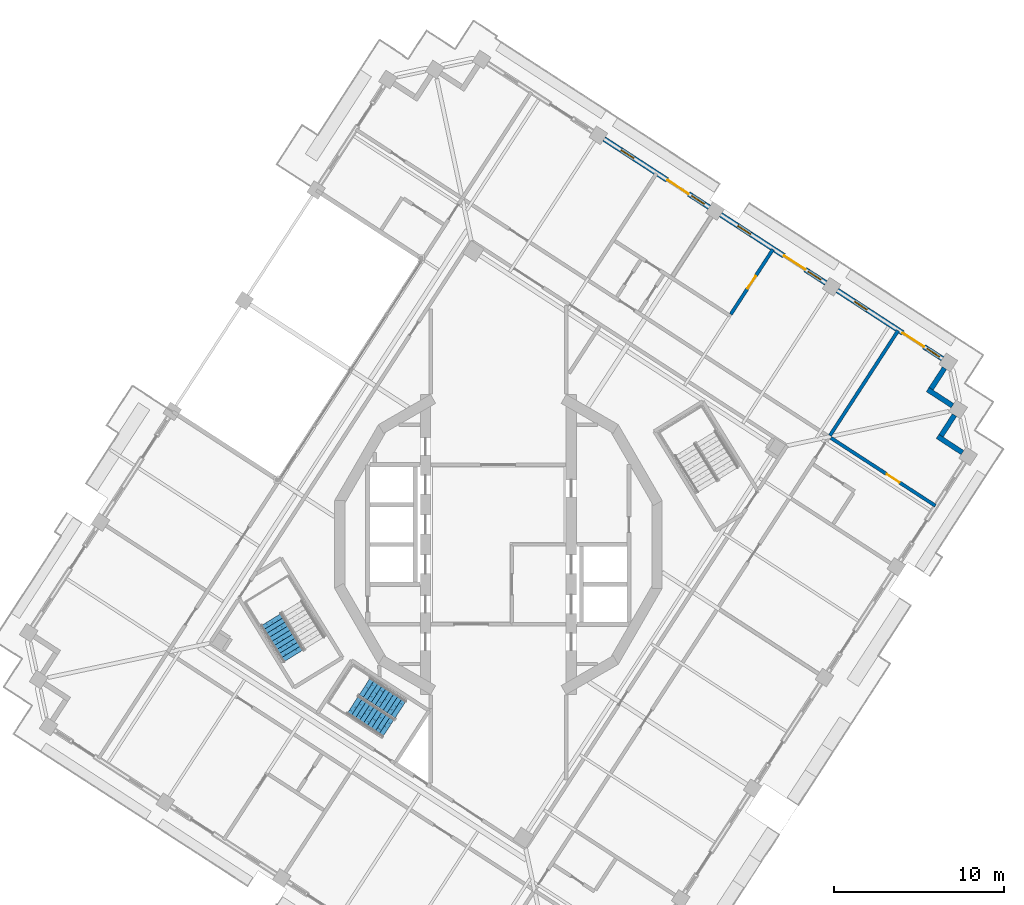
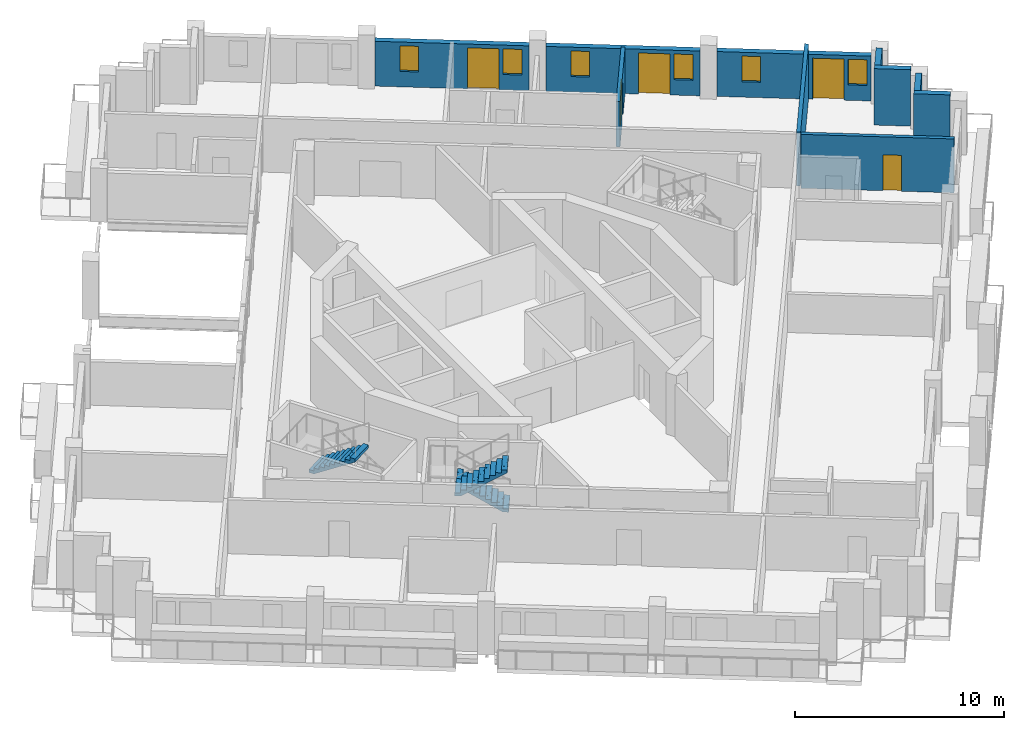
# One storey, part 10 of 17: 10 walls, 6 windows, 5 doors, 3 stair flights, 11 openings, 2 elements without a shape of their own.
"""IFC4 building model written with IfcOpenShell, lengths in metres."""

from ifc_helpers import new_model, si_unit, direction, frame, frame_2d, origin, place, context, subcontext, project, spatial, polyline, rectangle, outline, extrude, material, layer, layer_set, type_object, element, fill, aggregate, save


model = new_model("IFC4")

# Units and contexts
model_context = context("Model", 3, precision=1e-05, world=origin(), true_north=direction((0.0, 1.0)))
body_context = subcontext(model_context, "Body", "Model", "MODEL_VIEW")
ifc_project = project(units=[si_unit("LENGTHUNIT", "METRE"), si_unit("AREAUNIT", "SQUARE_METRE"), si_unit("VOLUMEUNIT", "CUBIC_METRE"), si_unit("PLANEANGLEUNIT", "RADIAN"), si_unit("MASSUNIT", "GRAM", prefix="KILO")], contexts=[model_context])

# Site, building, storey
site_placement = place(None, origin())
site = spatial("IfcSite", under=ifc_project, at=site_placement, CompositionType="ELEMENT")
building_placement = place(site_placement, origin())
building = spatial("IfcBuilding", under=site, at=building_placement, Name="Cantera Rosa Tower", CompositionType="ELEMENT")
storey_placement = place(building_placement, frame((0.0, 0.0, 286.5)))
storey = spatial("IfcBuildingStorey", under=building, at=storey_placement, Name="L65", CompositionType="ELEMENT", Elevation=286.5)

# Walls
ifc_material_1 = material(Name="Hollow clay masonry with cantera stone cladding", Category="masonry")
ifc_layer_1 = layer(ifc_material_1, 0.300048828125)
ifc_layer_set_1 = layer_set([ifc_layer_1], Name="EW-LOGGIA 300")
wall_type_1 = type_object("IfcWallType", Name="EW-LOGGIA 300", PredefinedType="SOLIDWALL", material=ifc_layer_set_1)
wall_1_placement = place(storey_placement, frame((27.36669921875, 5.41943359375, 0.0), z_axis=(0.0, 0.0, 1.0), x_axis=(-0.838685761837, 0.54461563776, 0.0)))
element("IfcWall", 1, at=wall_1_placement, inside=storey, type_object=wall_type_1, Name="EN-L65-W25a", PredefinedType="SOLIDWALL", context=body_context, shape_type="SweptSolid", body=[
    extrude(rectangle(XDim=1.75, YDim=0.300048828125, at=frame_2d((0.875, 0.0))), origin(), (0.0, 0.0, 1.0), 3.300048828125),
])
wall_2_placement = place(storey_placement, frame((26.1064453125, 6.41650390625, 0.0), z_axis=(0.0, 0.0, 1.0), x_axis=(0.54467465438, 0.838647435384, 0.0)))
element("IfcWall", 2, at=wall_2_placement, inside=storey, type_object=wall_type_1, Name="EN-L65-W25b", PredefinedType="SOLIDWALL", context=body_context, shape_type="SweptSolid", body=[
    extrude(rectangle(XDim=1.449951171875, YDim=0.300048828125, at=frame_2d((0.72509765625, 0.0))), origin(), (0.0, 0.0, 1.0), 3.300048828125),
])
wall_3_placement = place(storey_placement, frame((26.778564453125, 8.18603515625, 0.0), z_axis=(0.0, 0.0, 1.0), x_axis=(-0.838685761837, 0.54461563776, 0.0)))
element("IfcWall", 3, at=wall_3_placement, inside=storey, type_object=wall_type_1, Name="EN-L65-W26a", PredefinedType="SOLIDWALL", context=body_context, shape_type="SweptSolid", body=[
    extrude(rectangle(XDim=1.75, YDim=0.300048828125, at=frame_2d((0.875, 0.0))), origin(), (0.0, 0.0, 1.0), 3.300048828125),
])
wall_4_placement = place(storey_placement, frame((25.518310546875, 9.18310546875, 0.0), z_axis=(0.0, 0.0, 1.0), x_axis=(0.54467465438, 0.838647435384, 0.0)))
element("IfcWall", 4, at=wall_4_placement, inside=storey, type_object=wall_type_1, Name="EN-L65-W26b", PredefinedType="SOLIDWALL", context=body_context, shape_type="SweptSolid", body=[
    extrude(rectangle(XDim=1.449951171875, YDim=0.300048828125, at=frame_2d((0.72509765625, 0.0))), origin(), (0.0, 0.0, 1.0), 3.300048828125),
])

# Wall, openings, windows, door
ifc_material_2 = material(Name="Hollow clay masonry with cantera stone cladding", Category="masonry")
ifc_layer_2 = layer(ifc_material_2, 0.300048828125)
ifc_layer_set_2 = layer_set([ifc_layer_2], Name="EW-LOGGIA 300 H2620")
wall_type_2 = type_object("IfcWallType", Name="EW-LOGGIA 300 H2620", PredefinedType="SOLIDWALL", material=ifc_layer_set_2)
wall_5_placement = place(storey_placement, frame((26.1904296875, 10.95263671875, 0.0), z_axis=(0.0, 0.0, 1.0), x_axis=(-0.838669679097, 0.544640403719, 0.0)))
wall_5 = element("IfcWall", 5, at=wall_5_placement, inside=storey, type_object=wall_type_2, Name="EN-L65-W01", PredefinedType="SOLIDWALL", context=body_context, shape_type="SweptSolid", body=[
    extrude(rectangle(XDim=7.39990234375, YDim=0.300048828125, at=frame_2d((3.699951171875, 0.0))), origin(), (0.0, 0.0, 1.0), 2.6201171875),
])
opening_1_placement = place(wall_5_placement, frame((0.199951171875, 0.0, 0.89990234375)))
opening_1 = element("IfcOpeningElement", 6, at=opening_1_placement, cuts=wall_5, Name="Opening L65-W01", PredefinedType="OPENING", context=body_context, shape_type="SweptSolid", body=[
    extrude(rectangle(XDim=0.89990234375, YDim=1.5, at=frame_2d((0.449951171875, 0.75))), frame((0.0, 0.159912109375, 0.0), z_axis=(0.0, -1.0, 0.0), x_axis=(1.0, 0.0, 0.0)), (0.0, 0.0, 1.0), 0.320068359375),
])
opening_2_placement = place(wall_5_placement, frame((1.300048828125, 0.0, 0.0)))
opening_2 = element("IfcOpeningElement", 7, at=opening_2_placement, cuts=wall_5, Name="Opening L65-TD02", PredefinedType="OPENING", context=body_context, shape_type="SweptSolid", body=[
    extrude(rectangle(XDim=1.5, YDim=2.39990234375, at=frame_2d((0.75, 1.199951171875))), frame((0.0, 0.159912109375, 0.0), z_axis=(0.0, -1.0, 0.0), x_axis=(1.0, 0.0, 0.0)), (0.0, 0.0, 1.0), 0.320068359375),
])
opening_3_placement = place(wall_5_placement, frame((5.300048828125, 0.0, 0.89990234375)))
opening_3 = element("IfcOpeningElement", 8, at=opening_3_placement, cuts=wall_5, Name="Opening L65-W03", PredefinedType="OPENING", context=body_context, shape_type="SweptSolid", body=[
    extrude(rectangle(XDim=0.89990234375, YDim=1.5, at=frame_2d((0.449951171875, 0.75))), frame((0.0, 0.159912109375, 0.0), z_axis=(0.0, -1.0, 0.0), x_axis=(1.0, 0.0, 0.0)), (0.0, 0.0, 1.0), 0.320068359375),
])
ifc_material_3 = material(Name="Aluminium frame with clear glass", Category="aluminium")
window_type = type_object("IfcWindowType", Name="Residential window 900x1500", PartitioningType="SINGLE_PANEL", PredefinedType="WINDOW", material=ifc_material_3)
window_1_placement = place(opening_1_placement, origin())
window_1 = element("IfcWindow", 9, at=window_1_placement, inside=storey, type_object=window_type, Name="WINDOW L65-W01", OverallHeight=1.5, OverallWidth=0.89990234375, PartitioningType="SINGLE_PANEL", PredefinedType="WINDOW", context=body_context, shape_type="SweptSolid", body=[
    extrude(rectangle(XDim=0.89990234375, YDim=1.5, at=frame_2d((0.449951171875, 0.75))), frame((0.0, 0.030029296875, 0.0), z_axis=(0.0, -1.0, 0.0), x_axis=(1.0, 0.0, 0.0)), (0.0, 0.0, 1.0), 0.06005859375),
])
fill(opening_1, window_1)
window_2_placement = place(opening_3_placement, origin())
window_2 = element("IfcWindow", 10, at=window_2_placement, inside=storey, type_object=window_type, Name="WINDOW L65-W03", OverallHeight=1.5, OverallWidth=0.89990234375, PartitioningType="SINGLE_PANEL", PredefinedType="WINDOW", context=body_context, shape_type="SweptSolid", body=[
    extrude(rectangle(XDim=0.89990234375, YDim=1.5, at=frame_2d((0.449951171875, 0.75))), frame((0.0, 0.030029296875, 0.0), z_axis=(0.0, -1.0, 0.0), x_axis=(1.0, 0.0, 0.0)), (0.0, 0.0, 1.0), 0.06005859375),
])
fill(opening_3, window_2)
ifc_material_4 = material(Name="Aluminium frame with clear glass", Category="aluminium")
door_type_1 = type_object("IfcDoorType", Name="TD-R 1500x2400", OperationType="NOTDEFINED", PredefinedType="DOOR", material=ifc_material_4)
door_1_placement = place(opening_2_placement, origin())
door_1 = element("IfcDoor", 11, at=door_1_placement, inside=storey, type_object=door_type_1, Name="LOGGIA DOOR L65-TD02", OperationType="SLIDING_TO_LEFT", OverallHeight=2.39990234375, OverallWidth=1.5, PredefinedType="DOOR", context=body_context, shape_type="SweptSolid", body=[
    extrude(rectangle(XDim=1.5, YDim=2.39990234375, at=frame_2d((0.75, 1.199951171875))), frame((0.0, 0.02490234375, 0.0), z_axis=(0.0, -1.0, 0.0), x_axis=(1.0, 0.0, 0.0)), (0.0, 0.0, 1.0), 0.050048828125),
])
fill(opening_2, door_1)

wall_6_placement = place(storey_placement, frame((19.3134765625, 15.418701171875, 0.0), z_axis=(0.0, 0.0, 1.0), x_axis=(-0.838679465365, 0.544625333946, 0.0)))
wall_6 = element("IfcWall", 12, at=wall_6_placement, inside=storey, type_object=wall_type_2, Name="EN-L65-W02", PredefinedType="SOLIDWALL", context=body_context, shape_type="SweptSolid", body=[
    extrude(rectangle(XDim=7.400146484375, YDim=0.300048828125, at=frame_2d((3.7001953125, 0.0))), origin(), (0.0, 0.0, 1.0), 2.6201171875),
])
opening_4_placement = place(wall_6_placement, frame((0.35009765625, 0.0, 0.89990234375)))
opening_4 = element("IfcOpeningElement", 13, at=opening_4_placement, cuts=wall_6, Name="Opening L65-W04", PredefinedType="OPENING", context=body_context, shape_type="SweptSolid", body=[
    extrude(rectangle(XDim=0.89990234375, YDim=1.5, at=frame_2d((0.449951171875, 0.75))), frame((0.0, 0.159912109375, 0.0), z_axis=(0.0, -1.0, 0.0), x_axis=(1.0, 0.0, 0.0)), (0.0, 0.0, 1.0), 0.320068359375),
])
opening_5_placement = place(wall_6_placement, frame((1.449951171875, 0.0, 0.0)))
opening_5 = element("IfcOpeningElement", 14, at=opening_5_placement, cuts=wall_6, Name="Opening L65-TD05", PredefinedType="OPENING", context=body_context, shape_type="SweptSolid", body=[
    extrude(rectangle(XDim=1.5, YDim=2.39990234375, at=frame_2d((0.75, 1.199951171875))), frame((0.0, 0.159912109375, 0.0), z_axis=(0.0, -1.0, 0.0), x_axis=(1.0, 0.0, 0.0)), (0.0, 0.0, 1.0), 0.320068359375),
])
opening_6_placement = place(wall_6_placement, frame((5.300048828125, 0.0, 0.89990234375)))
opening_6 = element("IfcOpeningElement", 15, at=opening_6_placement, cuts=wall_6, Name="Opening L65-W06", PredefinedType="OPENING", context=body_context, shape_type="SweptSolid", body=[
    extrude(rectangle(XDim=0.89990234375, YDim=1.5, at=frame_2d((0.449951171875, 0.75))), frame((0.0, 0.159912109375, 0.0), z_axis=(0.0, -1.0, 0.0), x_axis=(1.0, 0.0, 0.0)), (0.0, 0.0, 1.0), 0.320068359375),
])
window_3_placement = place(opening_4_placement, origin())
window_3 = element("IfcWindow", 16, at=window_3_placement, inside=storey, type_object=window_type, Name="WINDOW L65-W04", OverallHeight=1.5, OverallWidth=0.89990234375, PartitioningType="SINGLE_PANEL", PredefinedType="WINDOW", context=body_context, shape_type="SweptSolid", body=[
    extrude(rectangle(XDim=0.89990234375, YDim=1.5, at=frame_2d((0.449951171875, 0.75))), frame((0.0, 0.030029296875, 0.0), z_axis=(0.0, -1.0, 0.0), x_axis=(1.0, 0.0, 0.0)), (0.0, 0.0, 1.0), 0.06005859375),
])
fill(opening_4, window_3)
window_4_placement = place(opening_6_placement, origin())
window_4 = element("IfcWindow", 17, at=window_4_placement, inside=storey, type_object=window_type, Name="WINDOW L65-W06", OverallHeight=1.5, OverallWidth=0.89990234375, PartitioningType="SINGLE_PANEL", PredefinedType="WINDOW", context=body_context, shape_type="SweptSolid", body=[
    extrude(rectangle(XDim=0.89990234375, YDim=1.5, at=frame_2d((0.449951171875, 0.75))), frame((0.0, 0.030029296875, 0.0), z_axis=(0.0, -1.0, 0.0), x_axis=(1.0, 0.0, 0.0)), (0.0, 0.0, 1.0), 0.06005859375),
])
fill(opening_6, window_4)
door_2_placement = place(opening_5_placement, origin())
door_2 = element("IfcDoor", 18, at=door_2_placement, inside=storey, type_object=door_type_1, Name="LOGGIA DOOR L65-TD05", OperationType="SLIDING_TO_LEFT", OverallHeight=2.39990234375, OverallWidth=1.5, PredefinedType="DOOR", context=body_context, shape_type="SweptSolid", body=[
    extrude(rectangle(XDim=1.5, YDim=2.39990234375, at=frame_2d((0.75, 1.199951171875))), frame((0.0, 0.02490234375, 0.0), z_axis=(0.0, -1.0, 0.0), x_axis=(1.0, 0.0, 0.0)), (0.0, 0.0, 1.0), 0.050048828125),
])
fill(opening_5, door_2)

wall_7_placement = place(storey_placement, frame((12.436279296875, 19.884765625, 0.0), z_axis=(0.0, 0.0, 1.0), x_axis=(-0.838669679097, 0.544640403719, 0.0)))
wall_7 = element("IfcWall", 19, at=wall_7_placement, inside=storey, type_object=wall_type_2, Name="EN-L65-W03", PredefinedType="SOLIDWALL", context=body_context, shape_type="SweptSolid", body=[
    extrude(rectangle(XDim=7.39990234375, YDim=0.300048828125, at=frame_2d((3.699951171875, 0.0))), origin(), (0.0, 0.0, 1.0), 2.6201171875),
])
opening_7_placement = place(wall_7_placement, frame((0.35009765625, 0.0, 0.89990234375)))
opening_7 = element("IfcOpeningElement", 20, at=opening_7_placement, cuts=wall_7, Name="Opening L65-W07", PredefinedType="OPENING", context=body_context, shape_type="SweptSolid", body=[
    extrude(rectangle(XDim=0.89990234375, YDim=1.5, at=frame_2d((0.449951171875, 0.75))), frame((0.0, 0.159912109375, 0.0), z_axis=(0.0, -1.0, 0.0), x_axis=(1.0, 0.0, 0.0)), (0.0, 0.0, 1.0), 0.320068359375),
])
opening_8_placement = place(wall_7_placement, frame((1.449951171875, 0.0, 0.0)))
opening_8 = element("IfcOpeningElement", 21, at=opening_8_placement, cuts=wall_7, Name="Opening L65-TD08", PredefinedType="OPENING", context=body_context, shape_type="SweptSolid", body=[
    extrude(rectangle(XDim=1.5, YDim=2.39990234375, at=frame_2d((0.75, 1.199951171875))), frame((0.0, 0.159912109375, 0.0), z_axis=(0.0, -1.0, 0.0), x_axis=(1.0, 0.0, 0.0)), (0.0, 0.0, 1.0), 0.320068359375),
])
opening_9_placement = place(wall_7_placement, frame((5.300048828125, 0.0, 0.89990234375)))
opening_9 = element("IfcOpeningElement", 22, at=opening_9_placement, cuts=wall_7, Name="Opening L65-W09", PredefinedType="OPENING", context=body_context, shape_type="SweptSolid", body=[
    extrude(rectangle(XDim=0.89990234375, YDim=1.5, at=frame_2d((0.449951171875, 0.75))), frame((0.0, 0.159912109375, 0.0), z_axis=(0.0, -1.0, 0.0), x_axis=(1.0, 0.0, 0.0)), (0.0, 0.0, 1.0), 0.320068359375),
])
window_5_placement = place(opening_7_placement, origin())
window_5 = element("IfcWindow", 23, at=window_5_placement, inside=storey, type_object=window_type, Name="WINDOW L65-W07", OverallHeight=1.5, OverallWidth=0.89990234375, PartitioningType="SINGLE_PANEL", PredefinedType="WINDOW", context=body_context, shape_type="SweptSolid", body=[
    extrude(rectangle(XDim=0.89990234375, YDim=1.5, at=frame_2d((0.449951171875, 0.75))), frame((0.0, 0.030029296875, 0.0), z_axis=(0.0, -1.0, 0.0), x_axis=(1.0, 0.0, 0.0)), (0.0, 0.0, 1.0), 0.06005859375),
])
fill(opening_7, window_5)
window_6_placement = place(opening_9_placement, origin())
window_6 = element("IfcWindow", 24, at=window_6_placement, inside=storey, type_object=window_type, Name="WINDOW L65-W09", OverallHeight=1.5, OverallWidth=0.89990234375, PartitioningType="SINGLE_PANEL", PredefinedType="WINDOW", context=body_context, shape_type="SweptSolid", body=[
    extrude(rectangle(XDim=0.89990234375, YDim=1.5, at=frame_2d((0.449951171875, 0.75))), frame((0.0, 0.030029296875, 0.0), z_axis=(0.0, -1.0, 0.0), x_axis=(1.0, 0.0, 0.0)), (0.0, 0.0, 1.0), 0.06005859375),
])
fill(opening_9, window_6)
door_3_placement = place(opening_8_placement, origin())
door_3 = element("IfcDoor", 25, at=door_3_placement, inside=storey, type_object=door_type_1, Name="LOGGIA DOOR L65-TD08", OperationType="SLIDING_TO_LEFT", OverallHeight=2.39990234375, OverallWidth=1.5, PredefinedType="DOOR", context=body_context, shape_type="SweptSolid", body=[
    extrude(rectangle(XDim=1.5, YDim=2.39990234375, at=frame_2d((0.75, 1.199951171875))), frame((0.0, 0.02490234375, 0.0), z_axis=(0.0, -1.0, 0.0), x_axis=(1.0, 0.0, 0.0)), (0.0, 0.0, 1.0), 0.050048828125),
])
fill(opening_8, door_3)

# Wall, opening, door
ifc_material_5 = material(Name="Gypsum board partition")
ifc_layer_3 = layer(ifc_material_5, 0.199951171875)
ifc_layer_set_3 = layer_set([ifc_layer_3], Name="PARTITION 200 H2650")
wall_type_3 = type_object("IfcWallType", Name="PARTITION 200 H2650", PredefinedType="PARTITIONING", material=ifc_layer_set_3)
wall_8_placement = place(storey_placement, frame((16.194091796875, 17.40869140625, 0.0), z_axis=(0.0, 0.0, 1.0), x_axis=(-0.544637163551, -0.838671783285, 0.0)))
wall_8 = element("IfcWall", 26, at=wall_8_placement, inside=storey, type_object=wall_type_3, Name="PARTITION L65-085", PredefinedType="PARTITIONING", context=body_context, shape_type="SweptSolid", body=[
    extrude(rectangle(XDim=4.570068359375, YDim=0.199951171875, at=frame_2d((2.28515625, 0.0))), origin(), (0.0, 0.0, 1.0), 2.64990234375),
])
opening_10_placement = place(wall_8_placement, frame((1.8701171875, 0.0, 0.0)))
opening_10 = element("IfcOpeningElement", 27, at=opening_10_placement, cuts=wall_8, Name="Opening L65-022", PredefinedType="OPENING", context=body_context, shape_type="SweptSolid", body=[
    extrude(rectangle(XDim=0.89990234375, YDim=2.10009765625, at=frame_2d((0.449951171875, 1.050048828125))), frame((0.0, 0.10986328125, 0.0), z_axis=(0.0, -1.0, 0.0), x_axis=(1.0, 0.0, 0.0)), (0.0, 0.0, 1.0), 0.219970703125),
])
ifc_material_6 = material(Name="Timber door leaf", Category="wood")
door_type_2 = type_object("IfcDoorType", Name="ROOM DOOR 900x2100", OperationType="NOTDEFINED", PredefinedType="DOOR", material=ifc_material_6)
door_4_placement = place(opening_10_placement, origin())
door_4 = element("IfcDoor", 28, at=door_4_placement, inside=storey, type_object=door_type_2, Name="DOOR L65-022", OperationType="NOTDEFINED", OverallHeight=2.10009765625, OverallWidth=0.89990234375, PredefinedType="DOOR", context=body_context, shape_type="SweptSolid", body=[
    extrude(rectangle(XDim=0.89990234375, YDim=2.10009765625, at=frame_2d((0.449951171875, 1.050048828125))), frame((0.0, 0.02490234375, 0.0), z_axis=(0.0, -1.0, 0.0), x_axis=(1.0, 0.0, 0.0)), (0.0, 0.0, 1.0), 0.050048828125),
])
fill(opening_10, door_4)

ifc_material_7 = material(Name="Gypsum board partition")
ifc_layer_4 = layer(ifc_material_7, 0.199951171875)
ifc_layer_set_4 = layer_set([ifc_layer_4], Name="PARTITION 200 H3150")
wall_type_4 = type_object("IfcWallType", Name="PARTITION 200 H3150", PredefinedType="PARTITIONING", material=ifc_layer_set_4)
wall_9_placement = place(storey_placement, frame((25.770751953125, 2.282470703125, 0.0), z_axis=(0.0, 0.0, 1.0), x_axis=(-0.838668934217, 0.544641550729, 0.0)))
wall_9 = element("IfcWall", 29, at=wall_9_placement, inside=storey, type_object=wall_type_4, Name="PARTITION L65-093", PredefinedType="PARTITIONING", context=body_context, shape_type="SweptSolid", body=[
    extrude(rectangle(XDim=7.35009765625, YDim=0.199951171875, at=frame_2d((3.675048828125, 0.0))), origin(), (0.0, 0.0, 1.0), 3.14990234375),
])
opening_11_placement = place(wall_9_placement, frame((2.52001953125, 0.0, 0.0)))
opening_11 = element("IfcOpeningElement", 30, at=opening_11_placement, cuts=wall_9, Name="Opening L65-040", PredefinedType="OPENING", context=body_context, shape_type="SweptSolid", body=[
    extrude(rectangle(XDim=0.89990234375, YDim=2.10009765625, at=frame_2d((0.449951171875, 1.050048828125))), frame((0.0, 0.10986328125, 0.0), z_axis=(0.0, -1.0, 0.0), x_axis=(1.0, 0.0, 0.0)), (0.0, 0.0, 1.0), 0.219970703125),
])
door_5_placement = place(opening_11_placement, origin())
door_5 = element("IfcDoor", 31, at=door_5_placement, inside=storey, type_object=door_type_2, Name="DOOR L65-040", OperationType="NOTDEFINED", OverallHeight=2.10009765625, OverallWidth=0.89990234375, PredefinedType="DOOR", context=body_context, shape_type="SweptSolid", body=[
    extrude(rectangle(XDim=0.89990234375, YDim=2.10009765625, at=frame_2d((0.449951171875, 1.050048828125))), frame((0.0, 0.02490234375, 0.0), z_axis=(0.0, -1.0, 0.0), x_axis=(1.0, 0.0, 0.0)), (0.0, 0.0, 1.0), 0.050048828125),
])
fill(opening_11, door_5)

# Wall
ifc_material_8 = material(Name="Gypsum board partition")
ifc_layer_5 = layer(ifc_material_8, 0.199951171875)
ifc_layer_set_5 = layer_set([ifc_layer_5], Name="PARTY WALL 200 H3150")
wall_type_5 = type_object("IfcWallType", Name="PARTY WALL 200 H3150", PredefinedType="PARTITIONING", material=ifc_layer_set_5)
wall_10_placement = place(storey_placement, frame((23.57421875, 12.61572265625, 0.0), z_axis=(0.0, 0.0, 1.0), x_axis=(-0.544642261206, -0.838668472824, 0.0)))
element("IfcWall", 32, at=wall_10_placement, inside=storey, type_object=wall_type_5, Name="PARTY WALL L65-092", PredefinedType="PARTITIONING", context=body_context, shape_type="SweptSolid", body=[
    extrude(rectangle(XDim=7.389892578125, YDim=0.199951171875, at=frame_2d((3.69482421875, 0.0))), origin(), (0.0, 0.0, 1.0), 3.14990234375),
])

# Stair, stair flights
ifc_material_9 = material(Name="Concrete C35/45", Category="concrete")
stair_type_1 = type_object("IfcStairType", Name="EXIT STAIR 1200 DOGLEG", PredefinedType="HALF_TURN_STAIR", material=ifc_material_9)
stair_1_placement = place(storey_placement, origin())
stair_1 = element("IfcStair", 33, at=stair_1_placement, inside=storey, type_object=stair_type_1, Name="L65 ST-53", PredefinedType="HALF_TURN_STAIR")
ifc_material_10 = material(Name="Concrete C35/45", Category="concrete")
stair_flight_type_1 = type_object("IfcStairFlightType", Name="STAIR FLIGHT 1200 R20x180", PredefinedType="STRAIGHT", material=ifc_material_10)
stair_flight_1_placement = place(storey_placement, frame((-5.76318359375, -9.728271484375, 0.0), z_axis=(0.0, 0.0, 1.0), x_axis=(-0.838670567945, 0.544639035015, 0.0)))
stair_flight_1 = element("IfcStairFlight", 34, at=stair_flight_1_placement, type_object=stair_flight_type_1, Name="ST-53 flight 1", NumberOfRisers=10, NumberOfTreads=9, PredefinedType="STRAIGHT", RiserHeight=0.18, TreadLength=0.28, context=body_context, shape_type="SweptSolid", body=[
    extrude(outline(polyline([(0.0, 0.0), (0.0, 0.179931640625), (0.280029296875, 0.179931640625), (0.280029296875, 0.360107421875), (0.56005859375, 0.360107421875), (0.56005859375, 0.5400390625), (0.840087890625, 0.5400390625), (0.840087890625, 0.719970703125), (1.1201171875, 0.719970703125), (1.1201171875, 0.89990234375), (1.39990234375, 0.89990234375), (1.39990234375, 1.080078125), (1.679931640625, 1.080078125), (1.679931640625, 1.260009765625), (1.9599609375, 1.260009765625), (1.9599609375, 1.43994140625), (2.239990234375, 1.43994140625), (2.239990234375, 1.6201171875), (2.52001953125, 1.6201171875), (2.52001953125, 1.800048828125), (2.52001953125, 1.44189453125), (0.277099609375, 0.0), (0.0, 0.0)])), frame((0.0, 0.60009765625, 0.0), z_axis=(0.0, -1.0, 0.0), x_axis=(1.0, 0.0, 0.0)), (0.0, 0.0, 1.0), 0.298583984375),
    extrude(outline(polyline([(0.0, 0.0), (0.0, 0.179931640625), (0.280029296875, 0.179931640625), (0.280029296875, 0.360107421875), (0.56005859375, 0.360107421875), (0.56005859375, 0.5400390625), (0.840087890625, 0.5400390625), (0.840087890625, 0.719970703125), (1.1201171875, 0.719970703125), (1.1201171875, 0.89990234375), (1.39990234375, 0.89990234375), (1.39990234375, 1.080078125), (1.679931640625, 1.080078125), (1.679931640625, 1.260009765625), (1.9599609375, 1.260009765625), (1.9599609375, 1.43994140625), (2.239990234375, 1.43994140625), (2.239990234375, 1.6201171875), (2.52001953125, 1.6201171875), (2.52001953125, 1.800048828125), (2.52001953125, 1.44189453125), (0.277099609375, 0.0), (0.0, 0.0)])), frame((0.0, 0.29931640625, 0.0), z_axis=(0.0, -1.0, 0.0), x_axis=(1.0, 0.0, 0.0)), (0.0, 0.0, 1.0), 0.298583984375),
    extrude(outline(polyline([(0.0, 0.0), (0.0, 0.179931640625), (0.280029296875, 0.179931640625), (0.280029296875, 0.360107421875), (0.56005859375, 0.360107421875), (0.56005859375, 0.5400390625), (0.840087890625, 0.5400390625), (0.840087890625, 0.719970703125), (1.1201171875, 0.719970703125), (1.1201171875, 0.89990234375), (1.39990234375, 0.89990234375), (1.39990234375, 1.080078125), (1.679931640625, 1.080078125), (1.679931640625, 1.260009765625), (1.9599609375, 1.260009765625), (1.9599609375, 1.43994140625), (2.239990234375, 1.43994140625), (2.239990234375, 1.6201171875), (2.52001953125, 1.6201171875), (2.52001953125, 1.800048828125), (2.52001953125, 1.44189453125), (0.277099609375, 0.0), (0.0, 0.0)])), frame((0.0, -0.0009765625, 0.0), z_axis=(0.0, -1.0, 0.0), x_axis=(1.0, 0.0, 0.0)), (0.0, 0.0, 1.0), 0.298583984375),
    extrude(outline(polyline([(0.0, 0.0), (0.0, 0.179931640625), (0.280029296875, 0.179931640625), (0.280029296875, 0.360107421875), (0.56005859375, 0.360107421875), (0.56005859375, 0.5400390625), (0.840087890625, 0.5400390625), (0.840087890625, 0.719970703125), (1.1201171875, 0.719970703125), (1.1201171875, 0.89990234375), (1.39990234375, 0.89990234375), (1.39990234375, 1.080078125), (1.679931640625, 1.080078125), (1.679931640625, 1.260009765625), (1.9599609375, 1.260009765625), (1.9599609375, 1.43994140625), (2.239990234375, 1.43994140625), (2.239990234375, 1.6201171875), (2.52001953125, 1.6201171875), (2.52001953125, 1.800048828125), (2.52001953125, 1.44189453125), (0.277099609375, 0.0), (0.0, 0.0)])), frame((0.0, -0.3017578125, 0.0), z_axis=(0.0, -1.0, 0.0), x_axis=(1.0, 0.0, 0.0)), (0.0, 0.0, 1.0), 0.298583984375),
])
stair_flight_2_placement = place(storey_placement, frame((-8.61181640625, -9.488037109375, 1.800048828125), z_axis=(0.0, 0.0, 1.0), x_axis=(0.838670567945, -0.544639035015, 0.0)))
stair_flight_2 = element("IfcStairFlight", 35, at=stair_flight_2_placement, type_object=stair_flight_type_1, Name="ST-53 flight 2", NumberOfRisers=10, NumberOfTreads=9, PredefinedType="STRAIGHT", RiserHeight=0.18, TreadLength=0.28, context=body_context, shape_type="SweptSolid", body=[
    extrude(outline(polyline([(0.0, 0.0), (0.0, 0.179931640625), (0.280029296875, 0.179931640625), (0.280029296875, 0.360107421875), (0.56005859375, 0.360107421875), (0.56005859375, 0.5400390625), (0.840087890625, 0.5400390625), (0.840087890625, 0.719970703125), (1.1201171875, 0.719970703125), (1.1201171875, 0.89990234375), (1.39990234375, 0.89990234375), (1.39990234375, 1.080078125), (1.679931640625, 1.080078125), (1.679931640625, 1.260009765625), (1.9599609375, 1.260009765625), (1.9599609375, 1.43994140625), (2.239990234375, 1.43994140625), (2.239990234375, 1.6201171875), (2.52001953125, 1.6201171875), (2.52001953125, 1.800048828125), (2.52001953125, 1.44189453125), (0.277099609375, 0.0), (0.0, 0.0)])), frame((0.0, 0.60009765625, 0.0), z_axis=(0.0, -1.0, 0.0), x_axis=(1.0, 0.0, 0.0)), (0.0, 0.0, 1.0), 0.298583984375),
    extrude(outline(polyline([(0.0, 0.0), (0.0, 0.179931640625), (0.280029296875, 0.179931640625), (0.280029296875, 0.360107421875), (0.56005859375, 0.360107421875), (0.56005859375, 0.5400390625), (0.840087890625, 0.5400390625), (0.840087890625, 0.719970703125), (1.1201171875, 0.719970703125), (1.1201171875, 0.89990234375), (1.39990234375, 0.89990234375), (1.39990234375, 1.080078125), (1.679931640625, 1.080078125), (1.679931640625, 1.260009765625), (1.9599609375, 1.260009765625), (1.9599609375, 1.43994140625), (2.239990234375, 1.43994140625), (2.239990234375, 1.6201171875), (2.52001953125, 1.6201171875), (2.52001953125, 1.800048828125), (2.52001953125, 1.44189453125), (0.277099609375, 0.0), (0.0, 0.0)])), frame((0.0, 0.29931640625, 0.0), z_axis=(0.0, -1.0, 0.0), x_axis=(1.0, 0.0, 0.0)), (0.0, 0.0, 1.0), 0.298583984375),
    extrude(outline(polyline([(0.0, 0.0), (0.0, 0.179931640625), (0.280029296875, 0.179931640625), (0.280029296875, 0.360107421875), (0.56005859375, 0.360107421875), (0.56005859375, 0.5400390625), (0.840087890625, 0.5400390625), (0.840087890625, 0.719970703125), (1.1201171875, 0.719970703125), (1.1201171875, 0.89990234375), (1.39990234375, 0.89990234375), (1.39990234375, 1.080078125), (1.679931640625, 1.080078125), (1.679931640625, 1.260009765625), (1.9599609375, 1.260009765625), (1.9599609375, 1.43994140625), (2.239990234375, 1.43994140625), (2.239990234375, 1.6201171875), (2.52001953125, 1.6201171875), (2.52001953125, 1.800048828125), (2.52001953125, 1.44189453125), (0.277099609375, 0.0), (0.0, 0.0)])), frame((0.0, -0.0009765625, 0.0), z_axis=(0.0, -1.0, 0.0), x_axis=(1.0, 0.0, 0.0)), (0.0, 0.0, 1.0), 0.298583984375),
    extrude(outline(polyline([(0.0, 0.0), (0.0, 0.179931640625), (0.280029296875, 0.179931640625), (0.280029296875, 0.360107421875), (0.56005859375, 0.360107421875), (0.56005859375, 0.5400390625), (0.840087890625, 0.5400390625), (0.840087890625, 0.719970703125), (1.1201171875, 0.719970703125), (1.1201171875, 0.89990234375), (1.39990234375, 0.89990234375), (1.39990234375, 1.080078125), (1.679931640625, 1.080078125), (1.679931640625, 1.260009765625), (1.9599609375, 1.260009765625), (1.9599609375, 1.43994140625), (2.239990234375, 1.43994140625), (2.239990234375, 1.6201171875), (2.52001953125, 1.6201171875), (2.52001953125, 1.800048828125), (2.52001953125, 1.44189453125), (0.277099609375, 0.0), (0.0, 0.0)])), frame((0.0, -0.3017578125, 0.0), z_axis=(0.0, -1.0, 0.0), x_axis=(1.0, 0.0, 0.0)), (0.0, 0.0, 1.0), 0.298583984375),
])
aggregate(stair_1, [stair_flight_1, stair_flight_2])

# Stair, stair flight
ifc_material_11 = material(Name="Concrete C35/45", Category="concrete")
stair_type_2 = type_object("IfcStairType", Name="EXIT STAIR 1350 DOGLEG", PredefinedType="HALF_TURN_STAIR", material=ifc_material_11)
stair_2_placement = place(storey_placement, origin())
stair_2 = element("IfcStair", 36, at=stair_2_placement, inside=storey, type_object=stair_type_2, Name="L65 ST-52", PredefinedType="HALF_TURN_STAIR")
ifc_material_12 = material(Name="Concrete C35/45", Category="concrete")
stair_flight_type_2 = type_object("IfcStairFlightType", Name="STAIR FLIGHT 1350 R20x180", PredefinedType="STRAIGHT", material=ifc_material_12)
stair_flight_3_placement = place(storey_placement, frame((-13.42626953125, -4.4404296875, 1.800048828125), z_axis=(0.0, 0.0, 1.0), x_axis=(0.524976585286, -0.851116669383, 0.0)))
stair_flight_3 = element("IfcStairFlight", 37, at=stair_flight_3_placement, type_object=stair_flight_type_2, Name="ST-52 flight 2", NumberOfRisers=10, NumberOfTreads=9, PredefinedType="STRAIGHT", RiserHeight=0.18, TreadLength=0.28, context=body_context, shape_type="SweptSolid", body=[
    extrude(outline(polyline([(0.0, 0.0), (0.0, 0.179931640625), (0.280029296875, 0.179931640625), (0.280029296875, 0.360107421875), (0.56005859375, 0.360107421875), (0.56005859375, 0.5400390625), (0.840087890625, 0.5400390625), (0.840087890625, 0.719970703125), (1.1201171875, 0.719970703125), (1.1201171875, 0.89990234375), (1.39990234375, 0.89990234375), (1.39990234375, 1.080078125), (1.679931640625, 1.080078125), (1.679931640625, 1.260009765625), (1.9599609375, 1.260009765625), (1.9599609375, 1.43994140625), (2.239990234375, 1.43994140625), (2.239990234375, 1.6201171875), (2.52001953125, 1.6201171875), (2.52001953125, 1.800048828125), (2.52001953125, 1.44189453125), (0.277099609375, 0.0), (0.0, 0.0)])), frame((0.0, 0.675048828125, 0.0), z_axis=(0.0, -1.0, 0.0), x_axis=(1.0, 0.0, 0.0)), (0.0, 0.0, 1.0), 0.3359375),
    extrude(outline(polyline([(0.0, 0.0), (0.0, 0.179931640625), (0.280029296875, 0.179931640625), (0.280029296875, 0.360107421875), (0.56005859375, 0.360107421875), (0.56005859375, 0.5400390625), (0.840087890625, 0.5400390625), (0.840087890625, 0.719970703125), (1.1201171875, 0.719970703125), (1.1201171875, 0.89990234375), (1.39990234375, 0.89990234375), (1.39990234375, 1.080078125), (1.679931640625, 1.080078125), (1.679931640625, 1.260009765625), (1.9599609375, 1.260009765625), (1.9599609375, 1.43994140625), (2.239990234375, 1.43994140625), (2.239990234375, 1.6201171875), (2.52001953125, 1.6201171875), (2.52001953125, 1.800048828125), (2.52001953125, 1.44189453125), (0.277099609375, 0.0), (0.0, 0.0)])), frame((0.0, 0.337158203125, 0.0), z_axis=(0.0, -1.0, 0.0), x_axis=(1.0, 0.0, 0.0)), (0.0, 0.0, 1.0), 0.3359375),
    extrude(outline(polyline([(0.0, 0.0), (0.0, 0.179931640625), (0.280029296875, 0.179931640625), (0.280029296875, 0.360107421875), (0.56005859375, 0.360107421875), (0.56005859375, 0.5400390625), (0.840087890625, 0.5400390625), (0.840087890625, 0.719970703125), (1.1201171875, 0.719970703125), (1.1201171875, 0.89990234375), (1.39990234375, 0.89990234375), (1.39990234375, 1.080078125), (1.679931640625, 1.080078125), (1.679931640625, 1.260009765625), (1.9599609375, 1.260009765625), (1.9599609375, 1.43994140625), (2.239990234375, 1.43994140625), (2.239990234375, 1.6201171875), (2.52001953125, 1.6201171875), (2.52001953125, 1.800048828125), (2.52001953125, 1.44189453125), (0.277099609375, 0.0), (0.0, 0.0)])), frame((0.0, -0.000732421875, 0.0), z_axis=(0.0, -1.0, 0.0), x_axis=(1.0, 0.0, 0.0)), (0.0, 0.0, 1.0), 0.3359375),
    extrude(outline(polyline([(0.0, 0.0), (0.0, 0.179931640625), (0.280029296875, 0.179931640625), (0.280029296875, 0.360107421875), (0.56005859375, 0.360107421875), (0.56005859375, 0.5400390625), (0.840087890625, 0.5400390625), (0.840087890625, 0.719970703125), (1.1201171875, 0.719970703125), (1.1201171875, 0.89990234375), (1.39990234375, 0.89990234375), (1.39990234375, 1.080078125), (1.679931640625, 1.080078125), (1.679931640625, 1.260009765625), (1.9599609375, 1.260009765625), (1.9599609375, 1.43994140625), (2.239990234375, 1.43994140625), (2.239990234375, 1.6201171875), (2.52001953125, 1.6201171875), (2.52001953125, 1.800048828125), (2.52001953125, 1.44189453125), (0.277099609375, 0.0), (0.0, 0.0)])), frame((0.0, -0.338623046875, 0.0), z_axis=(0.0, -1.0, 0.0), x_axis=(1.0, 0.0, 0.0)), (0.0, 0.0, 1.0), 0.3359375),
])
aggregate(stair_2, [stair_flight_3])

save(model, "model.ifc")
